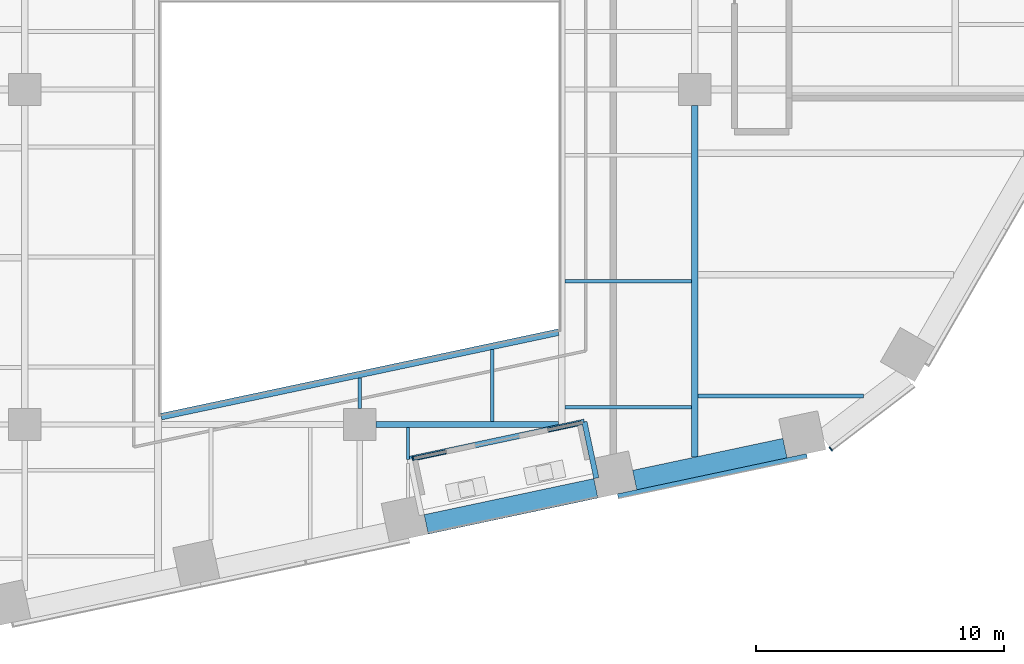
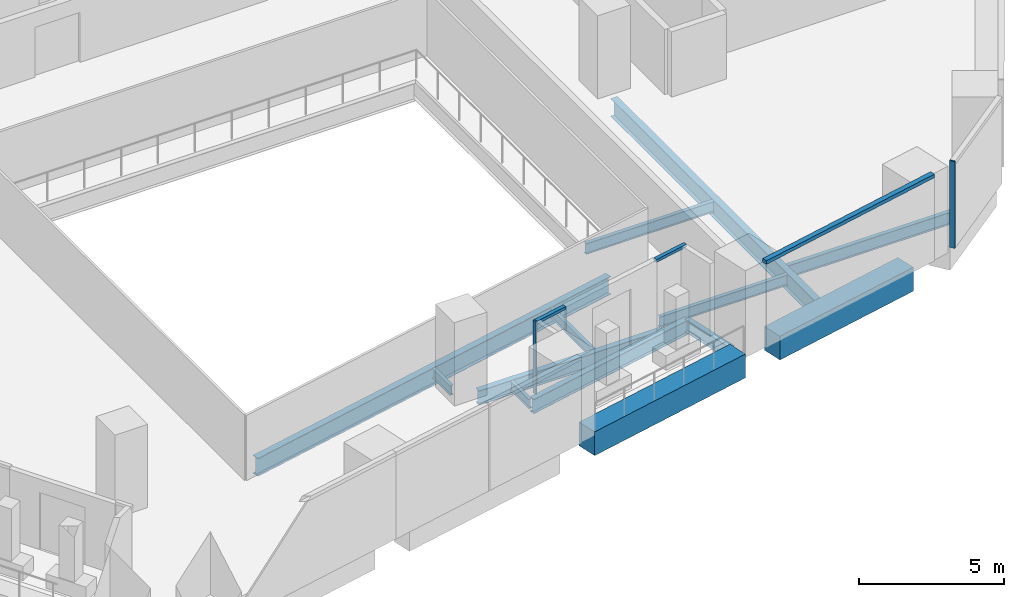
# One storey, part 6 of 28: 13 beams, 5 members, 3 elements without a shape of their own.
"""IFC4 building model written with IfcOpenShell, lengths in metres."""

from ifc_helpers import new_model, si_unit, direction, frame, origin, origin_2d, place, context, subcontext, project, spatial, rectangle, i_section, extrude, material, layer, layer_set, material_profile, profile_set, type_object, element, aggregate, save


model = new_model("IFC4")

# Units and contexts
model_context = context("Model", 3, precision=1e-05, world=origin(), true_north=direction((0.0, 1.0)))
body_context = subcontext(model_context, "Body", "Model", "MODEL_VIEW")
ifc_project = project(units=[si_unit("LENGTHUNIT", "METRE"), si_unit("AREAUNIT", "SQUARE_METRE"), si_unit("VOLUMEUNIT", "CUBIC_METRE"), si_unit("PLANEANGLEUNIT", "RADIAN"), si_unit("MASSUNIT", "GRAM", prefix="KILO")], contexts=[model_context])

# Site, building, storey
site_placement = place(None, origin())
site = spatial("IfcSite", under=ifc_project, at=site_placement, CompositionType="ELEMENT")
building_placement = place(site_placement, origin())
building = spatial("IfcBuilding", under=site, at=building_placement, Name="Isthmus Gate Tower", CompositionType="ELEMENT")
storey_placement = place(building_placement, frame((0.0, 0.0, 84.300048828125)))
storey = spatial("IfcBuildingStorey", under=building, at=storey_placement, Name="L19", CompositionType="ELEMENT", Elevation=84.300048828125)

# Curtain wall, member
ifc_material_1 = material(Name="Aluminium, pale champagne anodised", Category="aluminium")
ifc_layer_1 = layer(ifc_material_1, 0.199951171875)
ifc_layer_set_1 = layer_set([ifc_layer_1], Name="CW-1 UNITISED CURTAIN WALL 200 DEEP")
curtain_wall_type_1 = type_object("IfcCurtainWallType", Name="CW-1 UNITISED CURTAIN WALL 200 DEEP", PredefinedType="NOTDEFINED", material=ifc_layer_set_1)
curtain_wall_1_placement = place(storey_placement, origin())
curtain_wall_1 = element("IfcCurtainWall", 1, at=curtain_wall_1_placement, inside=storey, type_object=curtain_wall_type_1, Name="CW-1 S-SE L19", PredefinedType="NOTDEFINED")
ifc_material_2 = material(Name="Aluminium, pale champagne anodised", Category="aluminium")
ifc_material_profile_1 = material_profile(ifc_material_2, rectangle(XDim=0.06005859375, YDim=0.199951171875, at=origin_2d()), Name="60x200")
ifc_profile_set_1 = profile_set([ifc_material_profile_1], Name="Aluminium, pale champagne anodised")
member_type_1 = type_object("IfcMemberType", Name="CW-1 MULLION 60 X 200", PredefinedType="MULLION", material=ifc_profile_set_1)
member_1_placement = place(storey_placement, frame((18.978759765625, -27.982421875, 0.0), z_axis=(0.0, 0.0, 1.0), x_axis=(0.794188594387, 0.607671355706, 0.0)))
member_1 = element("IfcMember", 2, at=member_1_placement, type_object=member_type_1, Name="CW-1 mullion", PredefinedType="MULLION", context=body_context, shape_type="SweptSolid", body=[
    extrude(rectangle(XDim=0.06005859375, YDim=0.199951171875, at=origin_2d()), origin(), (0.0, 0.0, 1.0), 3.64990234375),
])
aggregate(curtain_wall_1, [member_1])

curtain_wall_2_placement = place(storey_placement, origin())
curtain_wall_2 = element("IfcCurtainWall", 3, at=curtain_wall_2_placement, inside=storey, type_object=curtain_wall_type_1, Name="CW-1 S L19", PredefinedType="NOTDEFINED")
ifc_material_3 = material(Name="Aluminium, pale champagne anodised", Category="aluminium")
ifc_material_profile_2 = material_profile(ifc_material_3, rectangle(XDim=0.199951171875, YDim=0.14990234375, at=origin_2d()), Name="200x150")
ifc_profile_set_2 = profile_set([ifc_material_profile_2], Name="Aluminium, pale champagne anodised")
member_type_2 = type_object("IfcMemberType", Name="CW-1 TRANSOM 200 X 150", PredefinedType="USERDEFINED", material=ifc_profile_set_2)
member_2_placement = place(storey_placement, frame((10.400146484375, -29.8916015625, 3.574951171875), z_axis=(0.978150565745, 0.207897741047, 0.0), x_axis=(-0.207897741047, 0.978150565745, 0.0)))
member_2 = element("IfcMember", 4, at=member_2_placement, type_object=member_type_2, Name="CW-1 transom", ObjectType="TRANSOM", PredefinedType="USERDEFINED", context=body_context, shape_type="SweptSolid", body=[
    extrude(rectangle(XDim=0.199951171875, YDim=0.14990234375, at=origin_2d()), origin(), (0.0, 0.0, 1.0), 7.789306640625),
])
aggregate(curtain_wall_2, [member_2])

# Curtain wall, members
ifc_material_4 = material(Name="Aluminium, pale champagne anodised", Category="aluminium")
ifc_layer_2 = layer(ifc_material_4, 0.14990234375)
ifc_layer_set_2 = layer_set([ifc_layer_2], Name="CW-6 LOGGIA BACK WALL GLAZING 150 DEEP")
curtain_wall_type_2 = type_object("IfcCurtainWallType", Name="CW-6 LOGGIA BACK WALL GLAZING 150 DEEP", PredefinedType="NOTDEFINED", material=ifc_layer_set_2)
curtain_wall_3_placement = place(storey_placement, origin())
curtain_wall_3 = element("IfcCurtainWall", 5, at=curtain_wall_3_placement, inside=storey, type_object=curtain_wall_type_2, Name="CW-6 S L19", PredefinedType="NOTDEFINED")
ifc_material_5 = material(Name="Aluminium, pale champagne anodised", Category="aluminium")
ifc_material_profile_3 = material_profile(ifc_material_5, rectangle(XDim=0.06005859375, YDim=0.14990234375, at=origin_2d()), Name="60x150")
ifc_profile_set_3 = profile_set([ifc_material_profile_3], Name="Aluminium, pale champagne anodised")
member_type_3 = type_object("IfcMemberType", Name="CW-6 MULLION 60 X 150", PredefinedType="MULLION", material=ifc_profile_set_3)
member_3_placement = place(storey_placement, frame((2.14501953125, -28.374755859375, 0.0), z_axis=(0.0, 0.0, 1.0), x_axis=(0.978147600734, 0.207911690818, 0.0)))
member_3 = element("IfcMember", 6, at=member_3_placement, type_object=member_type_3, Name="CW-6 mullion", PredefinedType="MULLION", context=body_context, shape_type="SweptSolid", body=[
    extrude(rectangle(XDim=0.06005859375, YDim=0.14990234375, at=origin_2d()), origin(), (0.0, 0.0, 1.0), 3.050048828125),
])
ifc_material_6 = material(Name="Aluminium, pale champagne anodised", Category="aluminium")
ifc_material_profile_4 = material_profile(ifc_material_6, rectangle(XDim=0.14990234375, YDim=0.1201171875, at=origin_2d()), Name="150x120")
ifc_profile_set_4 = profile_set([ifc_material_profile_4], Name="Aluminium, pale champagne anodised")
member_type_4 = type_object("IfcMemberType", Name="CW-6 TRANSOM 150 X 120", PredefinedType="USERDEFINED", material=ifc_profile_set_4)
member_4_placement = place(storey_placement, frame((2.17431640625, -28.36865234375, 2.989990234375), z_axis=(0.978138393546, 0.207955002517, 0.0), x_axis=(-0.207955002517, 0.978138393546, 0.0)))
member_4 = element("IfcMember", 7, at=member_4_placement, type_object=member_type_4, Name="CW-6 transom", ObjectType="TRANSOM", PredefinedType="USERDEFINED", context=body_context, shape_type="SweptSolid", body=[
    extrude(rectangle(XDim=0.14990234375, YDim=0.1201171875, at=origin_2d()), origin(), (0.0, 0.0, 1.0), 1.3349609375),
])
member_5_placement = place(storey_placement, frame((7.588134765625, -27.2177734375, 2.989990234375), z_axis=(0.978174863877, 0.207783386439, 0.0), x_axis=(-0.207783386439, 0.978174863877, 0.0)))
member_5 = element("IfcMember", 8, at=member_5_placement, type_object=member_type_4, Name="CW-6 transom", ObjectType="TRANSOM", PredefinedType="USERDEFINED", context=body_context, shape_type="SweptSolid", body=[
    extrude(rectangle(XDim=0.14990234375, YDim=0.1201171875, at=origin_2d()), origin(), (0.0, 0.0, 1.0), 1.394775390625),
])
aggregate(curtain_wall_3, [member_3, member_4, member_5])

# Beams
ifc_material_7 = material(Name="Concrete f'c 70 MPa", Category="concrete")
ifc_material_profile_5 = material_profile(ifc_material_7, rectangle(XDim=0.800048828125, YDim=1.0, at=origin_2d()), Name="RC 800X1000")
ifc_profile_set_5 = profile_set([ifc_material_profile_5], Name="Concrete f'c 70 MPa")
beam_type_1 = type_object("IfcBeamType", Name="RC SPANDREL 800 X 1000", PredefinedType="SPANDREL", material=ifc_profile_set_5)
beam_1_placement = place(storey_placement, frame((17.1328125, -27.949462890625, -0.5), z_axis=(-0.978147421176, -0.207912535568, 0.0), x_axis=(0.207912535568, -0.978147421176, 0.0)))
element("IfcBeam", 9, at=beam_1_placement, inside=storey, type_object=beam_type_1, Name="str-spandrel-L19-10", PredefinedType="SPANDREL", context=body_context, shape_type="SweptSolid", body=[
    extrude(rectangle(XDim=0.800048828125, YDim=1.0, at=origin_2d()), origin(), (0.0, 0.0, 1.0), 6.189453125),
])
beam_2_placement = place(storey_placement, frame((9.513671875, -29.56884765625, -0.5), z_axis=(-0.978149173437, -0.207904291694, 0.0), x_axis=(0.207904291694, -0.978149173437, 0.0)))
element("IfcBeam", 10, at=beam_2_placement, inside=storey, type_object=beam_type_1, Name="str-spandrel-L19-11", PredefinedType="SPANDREL", context=body_context, shape_type="SweptSolid", body=[
    extrude(rectangle(XDim=0.800048828125, YDim=1.0, at=origin_2d()), origin(), (0.0, 0.0, 1.0), 6.989501953125),
])
ifc_material_8 = material(Name="Structural steel ASTM A992 Gr 50", Category="steel")
ifc_material_profile_6 = material_profile(ifc_material_8, i_section(OverallWidth=0.1396484375, OverallDepth=0.4033203125, WebThickness=0.00634765625, FlangeThickness=0.010986328125, at=origin_2d()), Name="W16X31")
ifc_profile_set_6 = profile_set([ifc_material_profile_6], Name="Structural steel ASTM A992 Gr 50")
beam_type_2 = type_object("IfcBeamType", Name="STEEL FLOOR BEAM W16X31", PredefinedType="JOIST", material=ifc_profile_set_6)
beam_3_placement = place(storey_placement, frame((1.942626953125, -28.403076171875, -0.3515625), z_axis=(0.0, 1.0, 0.0), x_axis=(-1.0, 0.0, 0.0)))
element("IfcBeam", 11, at=beam_3_placement, inside=storey, type_object=beam_type_2, Name="str-beam-L19-20-01", PredefinedType="JOIST", context=body_context, shape_type="SweptSolid", body=[
    extrude(i_section(OverallWidth=0.1396484375, OverallDepth=0.4033203125, WebThickness=0.00634765625, FlangeThickness=0.010986328125, at=origin_2d()), origin(), (0.0, 0.0, 1.0), 1.288818359375),
])
beam_4_placement = place(storey_placement, frame((0.0, -26.35009765625, -0.3515625), z_axis=(0.0, 1.0, 0.0), x_axis=(-1.0, 0.0, 0.0)))
element("IfcBeam", 12, at=beam_4_placement, inside=storey, type_object=beam_type_2, Name="str-beam-L19-21-00", PredefinedType="JOIST", context=body_context, shape_type="SweptSolid", body=[
    extrude(i_section(OverallWidth=0.1396484375, OverallDepth=0.4033203125, WebThickness=0.00634765625, FlangeThickness=0.010986328125, at=origin_2d()), origin(), (0.0, 0.0, 1.0), 1.23388671875),
])
beam_5_placement = place(storey_placement, frame((5.333251953125, -26.8857421875, -0.3515625), z_axis=(0.0, 1.0, 0.0), x_axis=(-1.0, 0.0, 0.0)))
element("IfcBeam", 13, at=beam_5_placement, inside=storey, type_object=beam_type_2, Name="str-beam-L19-21-01", PredefinedType="JOIST", context=body_context, shape_type="SweptSolid", body=[
    extrude(i_section(OverallWidth=0.1396484375, OverallDepth=0.4033203125, WebThickness=0.00634765625, FlangeThickness=0.010986328125, at=origin_2d()), origin(), (0.0, 0.0, 1.0), 2.903076171875),
])
ifc_material_9 = material(Name="Structural steel ASTM A992 Gr 50", Category="steel")
ifc_material_profile_7 = material_profile(ifc_material_9, i_section(OverallWidth=0.15234375, OverallDepth=0.45068359375, WebThickness=0.0078125, FlangeThickness=0.010986328125, at=origin_2d()), Name="W18X35")
ifc_profile_set_7 = profile_set([ifc_material_profile_7], Name="Structural steel ASTM A992 Gr 50")
beam_type_3 = type_object("IfcBeamType", Name="STEEL FLOOR BEAM W18X35", PredefinedType="JOIST", material=ifc_profile_set_7)
for number, where, z_axis, x_axis, name in (
    (14, (8.263427734375, -26.304931640625, -0.37548828125), (1.0, 0.0, 0.0), (0.0, 1.0, 0.0), "str-beam-L19-28-00"),
    (15, (8.263427734375, -21.224853515625, -0.37548828125), (1.0, 0.0, 0.0), (0.0, 1.0, 0.0), "str-beam-L19-28-01"),
):
    element("IfcBeam", number, at=place(storey_placement, frame(where, z_axis=z_axis, x_axis=x_axis)), inside=storey, type_object=beam_type_3, Name=name, PredefinedType="JOIST", context=body_context, shape_type="SweptSolid", body=[
        extrude(i_section(OverallWidth=0.15234375, OverallDepth=0.45068359375, WebThickness=0.0078125, FlangeThickness=0.010986328125, at=origin_2d()), origin(), (0.0, 0.0, 1.0), 5.103271484375),
    ])
ifc_material_10 = material(Name="Structural steel ASTM A992 Gr 50", Category="steel")
ifc_material_profile_8 = material_profile(ifc_material_10, i_section(OverallWidth=0.1650390625, OverallDepth=0.52392578125, WebThickness=0.009521484375, FlangeThickness=0.010986328125, at=origin_2d()), Name="W21X44")
ifc_profile_set_8 = profile_set([ifc_material_profile_8], Name="Structural steel ASTM A992 Gr 50")
beam_type_4 = type_object("IfcBeamType", Name="STEEL FLOOR BEAM W21X44", PredefinedType="JOIST", material=ifc_profile_set_8)
beam_6_placement = place(storey_placement, frame((13.63330078125, -25.842529296875, -0.412109375), z_axis=(1.0, 0.0, 0.0), x_axis=(0.0, 1.0, 0.0)))
element("IfcBeam", 16, at=beam_6_placement, inside=storey, type_object=beam_type_4, Name="str-beam-L19-32-00", PredefinedType="JOIST", context=body_context, shape_type="SweptSolid", body=[
    extrude(i_section(OverallWidth=0.1650390625, OverallDepth=0.52392578125, WebThickness=0.009521484375, FlangeThickness=0.010986328125, at=origin_2d()), origin(), (0.0, 0.0, 1.0), 6.661376953125),
])
ifc_material_11 = material(Name="Structural steel ASTM A992 Gr 50", Category="steel")
ifc_material_profile_9 = material_profile(ifc_material_11, i_section(OverallWidth=0.228515625, OverallDepth=0.603271484375, WebThickness=0.010986328125, FlangeThickness=0.014404296875, at=origin_2d()), Name="W24X68")
ifc_profile_set_9 = profile_set([ifc_material_profile_9], Name="Structural steel ASTM A992 Gr 50")
beam_type_5 = type_object("IfcBeamType", Name="STEEL GIRDER W24X68", PredefinedType="BEAM", material=ifc_profile_set_9)
beam_7_placement = place(storey_placement, frame((0.64990234375, -27.0, -0.45166015625), z_axis=(1.0, 0.0, 0.0), x_axis=(0.0, 1.0, 0.0)))
element("IfcBeam", 17, at=beam_7_placement, inside=storey, type_object=beam_type_5, Name="str-girder-L19-04", PredefinedType="BEAM", context=body_context, shape_type="SweptSolid", body=[
    extrude(i_section(OverallWidth=0.228515625, OverallDepth=0.603271484375, WebThickness=0.010986328125, FlangeThickness=0.014404296875, at=origin_2d()), origin(), (0.0, 0.0, 1.0), 7.35009765625),
])
ifc_material_12 = material(Name="Structural steel ASTM A992 Gr 50", Category="steel")
ifc_material_profile_10 = material_profile(ifc_material_12, i_section(OverallWidth=0.2666015625, OverallDepth=0.7587890625, WebThickness=0.014404296875, FlangeThickness=0.01904296875, at=origin_2d()), Name="W30X108")
ifc_profile_set_10 = profile_set([ifc_material_profile_10], Name="Structural steel ASTM A992 Gr 50")
beam_type_6 = type_object("IfcBeamType", Name="STEEL GIRDER W30X108", PredefinedType="BEAM", material=ifc_profile_set_10)
beam_8_placement = place(storey_placement, frame((13.5, -28.3125, -0.529541015625), z_axis=(0.0, 1.0, 0.0), x_axis=(-1.0, 0.0, 0.0)))
element("IfcBeam", 18, at=beam_8_placement, inside=storey, type_object=beam_type_6, Name="str-girder-L19-32", PredefinedType="BEAM", context=body_context, shape_type="SweptSolid", body=[
    extrude(i_section(OverallWidth=0.2666015625, OverallDepth=0.7587890625, WebThickness=0.014404296875, FlangeThickness=0.01904296875, at=origin_2d()), origin(), (0.0, 0.0, 1.0), 14.16259765625),
])
ifc_material_13 = material(Name="Structural steel ASTM A992 Gr 50", Category="steel")
ifc_material_profile_11 = material_profile(ifc_material_13, i_section(OverallWidth=0.20947265625, OverallDepth=0.533447265625, WebThickness=0.009521484375, FlangeThickness=0.015869140625, at=origin_2d()), Name="W21X62")
ifc_profile_set_11 = profile_set([ifc_material_profile_11], Name="Structural steel ASTM A992 Gr 50")
beam_type_7 = type_object("IfcBeamType", Name="STEEL TRIMMER W21X62", PredefinedType="BEAM", material=ifc_profile_set_11)
beam_9_placement = place(storey_placement, frame((9.532958984375, -29.15576171875, -0.416748046875), z_axis=(-0.207929410801, 0.978143834067, 0.0), x_axis=(-0.978143834067, -0.207929410801, 0.0)))
element("IfcBeam", 19, at=beam_9_placement, inside=storey, type_object=beam_type_7, Name="str-loggiatrim-L19-04-C", PredefinedType="BEAM", context=body_context, shape_type="SweptSolid", body=[
    extrude(i_section(OverallWidth=0.20947265625, OverallDepth=0.533447265625, WebThickness=0.009521484375, FlangeThickness=0.015869140625, at=origin_2d()), origin(), (0.0, 0.0, 1.0), 2.314208984375),
])
ifc_material_14 = material(Name="Structural steel ASTM A992 Gr 50", Category="steel")
ifc_material_profile_12 = material_profile(ifc_material_14, i_section(OverallWidth=0.228515625, OverallDepth=0.603271484375, WebThickness=0.010986328125, FlangeThickness=0.014404296875, at=origin_2d()), Name="W24X68")
ifc_profile_set_12 = profile_set([ifc_material_profile_12], Name="Structural steel ASTM A992 Gr 50")
beam_type_8 = type_object("IfcBeamType", Name="STEEL TRIMMER W24X68", PredefinedType="BEAM", material=ifc_profile_set_12)
beam_10_placement = place(storey_placement, frame((2.01025390625, -28.388916015625, -0.45166015625), z_axis=(0.97814454078, 0.207926086247, 0.0), x_axis=(-0.207926086247, 0.97814454078, 0.0)))
element("IfcBeam", 20, at=beam_10_placement, inside=storey, type_object=beam_type_8, Name="str-loggiatrim-L19-04-B", PredefinedType="BEAM", context=body_context, shape_type="SweptSolid", body=[
    extrude(i_section(OverallWidth=0.228515625, OverallDepth=0.603271484375, WebThickness=0.010986328125, FlangeThickness=0.014404296875, at=origin_2d()), origin(), (0.0, 0.0, 1.0), 7.19873046875),
])
ifc_material_15 = material(Name="Structural steel ASTM A992 Gr 50", Category="steel")
ifc_material_profile_13 = material_profile(ifc_material_15, i_section(OverallWidth=0.2666015625, OverallDepth=0.7587890625, WebThickness=0.014404296875, FlangeThickness=0.01904296875, at=origin_2d()), Name="W30X108")
ifc_profile_set_13 = profile_set([ifc_material_profile_13], Name="Structural steel ASTM A992 Gr 50")
beam_type_9 = type_object("IfcBeamType", Name="STEEL TRIMMER W30X108", PredefinedType="BEAM", material=ifc_profile_set_13)
beam_11_placement = place(storey_placement, frame((-8.0, -26.680419921875, -0.529541015625), z_axis=(0.978147924985, 0.20791016533, 0.0), x_axis=(-0.20791016533, 0.978147924985, 0.0)))
element("IfcBeam", 21, at=beam_11_placement, inside=storey, type_object=beam_type_9, Name="str-trimmer-L19-03", PredefinedType="BEAM", context=body_context, shape_type="SweptSolid", body=[
    extrude(i_section(OverallWidth=0.2666015625, OverallDepth=0.7587890625, WebThickness=0.014404296875, FlangeThickness=0.01904296875, at=origin_2d()), origin(), (0.0, 0.0, 1.0), 16.357421875),
])

save(model, "model.ifc")
